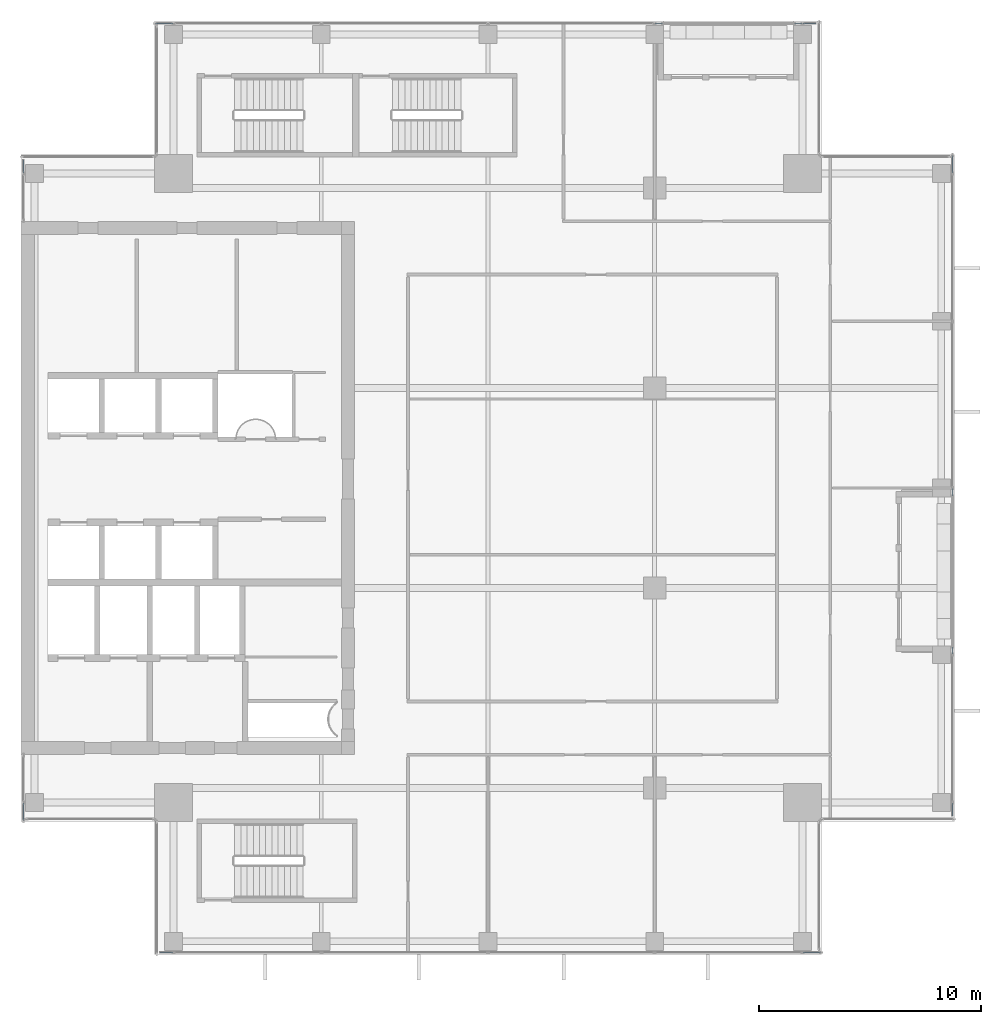
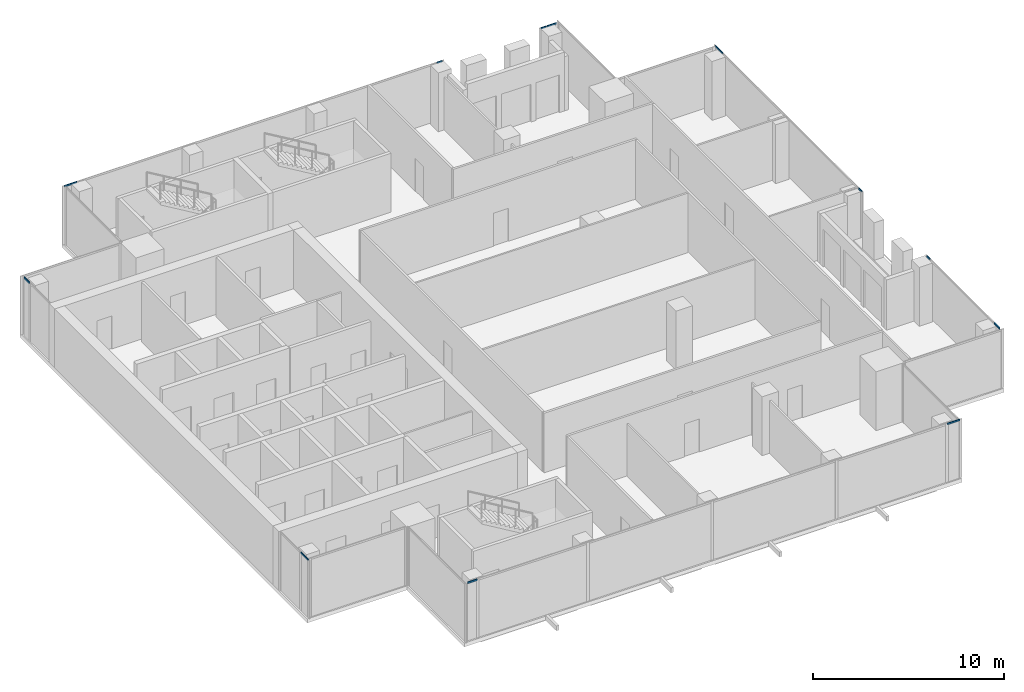
# One storey, part 18 of 29: 12 members, 7 elements without a shape of their own.
"""IFC4 building model written with IfcOpenShell, lengths in metres."""

import ifcopenshell
import ifcopenshell.guid

model = None  # the IFC model being written
_history = None  # IfcOwnerHistory: only IFC2X3 demands one
_inside = {}  # id of a spatial element -> (the spatial element, [elements in it])
_under = {}  # id of a project, library or spatial element -> (it, [spatial elements below it])
_declared = {}  # id of a project -> (the project, [libraries it declares])
_typed = {}  # id of a type object -> (the type object, [elements of that type])
_made_of = {}  # id of a material, layer set ... -> (it, [elements and type objects made of it])


def new_model(schema):
    """Start an empty IFC model of exactly this schema.

    Asked for "IFC4X3", IfcOpenShell would pick the latest addendum, in which some entities
    have other attributes; the version numbers below select the first issue.
    IFC2X3 requires an IfcOwnerHistory on every rooted entity: one is made here for all.
    """
    global model, _history
    if schema == "IFC4X3":
        model = ifcopenshell.file(schema_version=(4, 3, 0, 0))
    else:
        model = ifcopenshell.file(schema=schema)
    _inside.clear()
    _under.clear()
    _declared.clear()
    _typed.clear()
    _made_of.clear()
    _history = None
    if model.schema == "IFC2X3":
        org = make("IfcOrganization", Name="unknown")
        user = make(
            "IfcPersonAndOrganization",
            ThePerson=make("IfcPerson", FamilyName="unknown"),
            TheOrganization=org,
        )
        app = make(
            "IfcApplication",
            ApplicationDeveloper=org,
            Version="unknown",
            ApplicationFullName="unknown",
            ApplicationIdentifier="unknown",
        )
        _history = make(
            "IfcOwnerHistory",
            OwningUser=user,
            OwningApplication=app,
            ChangeAction="ADDED",
            CreationDate=0,
        )
    return model


def make(cls, **values):
    """One entity of the class cls with the attributes given. An attribute that is None is left unset."""
    return model.create_entity(
        cls, **{name: value for name, value in values.items() if value is not None}
    )


def rooted(cls, **values):
    """An entity with a GlobalId (a new one), such as an element, a storey or a relation."""
    return make(cls, GlobalId=ifcopenshell.guid.new(), OwnerHistory=_history, **values)


def si_unit(unit_type, name, prefix=None):
    """IfcSIUnit, for example si_unit("LENGTHUNIT", "METRE", prefix="MILLI")."""
    return make("IfcSIUnit", UnitType=unit_type, Prefix=prefix, Name=name)


def assignment(units):
    """IfcUnitAssignment: the units of a project."""
    return None if units is None else make("IfcUnitAssignment", Units=units)


def point(xyz):
    """IfcCartesianPoint."""
    return None if xyz is None else make("IfcCartesianPoint", Coordinates=xyz)


def direction(xyz):
    """IfcDirection."""
    return None if xyz is None else make("IfcDirection", DirectionRatios=xyz)


def frame(location, z_axis=None, x_axis=None):
    """IfcAxis2Placement3D, a coordinate frame: its origin and axes. An axis left out is left unset."""
    return make(
        "IfcAxis2Placement3D",
        Location=point(location),
        Axis=direction(z_axis),
        RefDirection=direction(x_axis),
    )


def frame_2d(location, x_axis=None):
    """IfcAxis2Placement2D, a coordinate frame in the plane: its origin and x axis."""
    return make(
        "IfcAxis2Placement2D", Location=point(location), RefDirection=direction(x_axis)
    )


def origin():
    """The frame at (0, 0, 0) with its axes left unset."""
    return frame((0.0, 0.0, 0.0))


def origin_2d():
    """The frame at (0, 0) in the plane with its x axis left unset."""
    return frame_2d((0.0, 0.0))


def place(relative_to, where):
    """IfcLocalPlacement: puts the frame where relative to a parent placement (None: the world)."""
    return make(
        "IfcLocalPlacement", PlacementRelTo=relative_to, RelativePlacement=where
    )


def context(
    kind, dimensions, precision=None, world=None, true_north=None, identifier=None
):
    """IfcGeometricRepresentationContext, for example the 3D "Model" context."""
    return make(
        "IfcGeometricRepresentationContext",
        ContextIdentifier=identifier,
        ContextType=kind,
        CoordinateSpaceDimension=dimensions,
        Precision=precision,
        WorldCoordinateSystem=world,
        TrueNorth=true_north,
    )


def subcontext(parent, identifier, kind, view, scale=None):
    """IfcGeometricRepresentationSubContext, for example "Body" below "Model"."""
    return make(
        "IfcGeometricRepresentationSubContext",
        ContextIdentifier=identifier,
        ContextType=kind,
        ParentContext=parent,
        TargetScale=scale,
        TargetView=view,
    )


def project(units=None, contexts=None):
    """IfcProject with its units and contexts."""
    return rooted(
        "IfcProject",
        Name="project",
        RepresentationContexts=contexts,
        UnitsInContext=assignment(units),
    )


def spatial(cls, under=None, at=None, **own):
    """A site, building, storey or space (cls), placed at a placement, below another one or the project."""
    s = rooted(cls, ObjectPlacement=at, **own)
    if under is not None:
        _under.setdefault(under.id(), (under, []))[1].append(s)
    return s


def profile(cls, at=None, kind="AREA", **sizes):
    """A parametric profile (cls). Its sizes go by their IFC names, for example OverallWidth=200.0."""
    return make(cls, ProfileType=kind, Position=at, **sizes)


def hollow_rectangle(**sizes):
    """IfcRectangleHollowProfileDef."""
    return profile("IfcRectangleHollowProfileDef", **sizes)


def extrude(swept, where, along, depth):
    """IfcExtrudedAreaSolid: the profile swept, set in the frame where, extruded along a direction by depth."""
    return make(
        "IfcExtrudedAreaSolid",
        SweptArea=swept,
        Position=where,
        ExtrudedDirection=direction(along),
        Depth=depth,
    )


def shape(context_of_items, identifier, shape_type, items):
    """IfcShapeRepresentation: the items that make up one representation, for example the "Body"."""
    return make(
        "IfcShapeRepresentation",
        ContextOfItems=context_of_items,
        RepresentationIdentifier=identifier,
        RepresentationType=shape_type,
        Items=items,
    )


def source(mapping_origin, context_of_items, identifier, shape_type, items):
    """IfcRepresentationMap: a shape defined once, which mapped items show again and again."""
    return make(
        "IfcRepresentationMap",
        MappingOrigin=mapping_origin,
        MappedRepresentation=shape(context_of_items, identifier, shape_type, items),
    )


def transform(
    local_origin,
    x_axis=None,
    y_axis=None,
    z_axis=None,
    scale=None,
    scale2=None,
    scale3=None,
    uniform=True,
):
    """IfcCartesianTransformationOperator3D, or its non-uniform kind. x_axis, y_axis, z_axis: its Axis1, 2, 3."""
    if uniform:
        return make(
            "IfcCartesianTransformationOperator3D",
            Axis1=direction(x_axis),
            Axis2=direction(y_axis),
            LocalOrigin=point(local_origin),
            Scale=scale,
            Axis3=direction(z_axis),
        )
    return make(
        "IfcCartesianTransformationOperator3DnonUniform",
        Axis1=direction(x_axis),
        Axis2=direction(y_axis),
        LocalOrigin=point(local_origin),
        Scale=scale,
        Axis3=direction(z_axis),
        Scale2=scale2,
        Scale3=scale3,
    )


def mapped(mapping_source, mapping_target):
    """IfcMappedItem: shows the shape of a source again, moved by a transform."""
    return make(
        "IfcMappedItem", MappingSource=mapping_source, MappingTarget=mapping_target
    )


def material(Name=None, Category=None):
    """IfcMaterial."""
    return make("IfcMaterial", Name=Name, Category=Category)


def material_profile(
    of_material, cross_section, Name=None, Category=None, Priority=None
):
    """IfcMaterialProfile: a cross section and its material."""
    return make(
        "IfcMaterialProfile",
        Name=Name,
        Material=of_material,
        Profile=cross_section,
        Priority=Priority,
        Category=Category,
    )


def profile_set(profiles, Name=None, composite=None):
    """IfcMaterialProfileSet."""
    return make(
        "IfcMaterialProfileSet",
        Name=Name,
        MaterialProfiles=profiles,
        CompositeProfile=composite,
    )


def made_of(thing, what):
    """Note that an element or type object is made of a material, layer set ...; save() writes the relation."""
    if what is not None:
        _made_of.setdefault(what.id(), (what, []))[1].append(thing)
    return thing


def type_object(cls, material=None, **own):
    """A type object (cls), such as IfcWallType, which elements share."""
    return made_of(rooted(cls, **own), material)


def element(
    cls,
    number,
    at=None,
    inside=None,
    cuts=None,
    type_object=None,
    material=None,
    context=None,
    identifier="Body",
    shape_type=None,
    held_by="IfcProductDefinitionShape",
    body=None,
    shapes=None,
    **own,
):
    """One element of the class cls, such as IfcWall. Its Tag is "e" and its number.

    at: its placement. inside: the storey or other place that contains it. cuts: it is an
    opening in that element (IfcRelVoidsElement). A single representation is given by context,
    identifier, shape_type and body (its items); several are given by shapes. held_by: the class
    of the entity that holds the representations. save() writes the other relations.
    """
    e = rooted(cls, Tag="e%d" % number, ObjectPlacement=at, **own)
    if body is not None:
        shapes = [shape(context, identifier, shape_type, body)]
    if shapes is not None:
        e.Representation = make(held_by, Representations=shapes)
    if inside is not None:
        _inside.setdefault(inside.id(), (inside, []))[1].append(e)
    if cuts is not None:
        rooted(
            "IfcRelVoidsElement", RelatingBuildingElement=cuts, RelatedOpeningElement=e
        )
    if type_object is not None:
        _typed.setdefault(type_object.id(), (type_object, []))[1].append(e)
    return made_of(e, material)


def aggregate(whole, parts):
    """IfcRelAggregates: a whole, such as a stair, and the parts it consists of."""
    return rooted("IfcRelAggregates", RelatingObject=whole, RelatedObjects=parts)


def save(model, path):
    """Write the relations noted so far, then the file.

    IfcRelAggregates (storeys below a building ...), IfcRelContainedInSpatialStructure (elements
    in a storey), IfcRelDefinesByType, IfcRelAssociatesMaterial and IfcRelDeclares: one each for
    every whole, place, type object, material and project.
    """
    for whole, parts in _under.values():
        aggregate(whole, parts)
    for where, things in _inside.values():
        rooted(
            "IfcRelContainedInSpatialStructure",
            RelatedElements=things,
            RelatingStructure=where,
        )
    for kind, things in _typed.values():
        rooted("IfcRelDefinesByType", RelatedObjects=things, RelatingType=kind)
    for what, things in _made_of.values():
        rooted("IfcRelAssociatesMaterial", RelatedObjects=things, RelatingMaterial=what)
    for by, libraries in _declared.values():
        rooted("IfcRelDeclares", RelatingContext=by, RelatedDefinitions=libraries)
    model.write(path)


model = new_model("IFC4")

# Units and contexts
model_context = context("Model", 3, precision=1e-05, world=origin(), true_north=direction((0.0, 1.0)))
body_context = subcontext(model_context, "Body", "Model", "MODEL_VIEW")
ifc_project = project(units=[si_unit("LENGTHUNIT", "METRE"), si_unit("AREAUNIT", "SQUARE_METRE"), si_unit("VOLUMEUNIT", "CUBIC_METRE"), si_unit("PLANEANGLEUNIT", "RADIAN"), si_unit("MASSUNIT", "GRAM", prefix="KILO")], contexts=[model_context])

# Site, building, storey
site_placement = place(None, origin())
site = spatial("IfcSite", under=ifc_project, at=site_placement, CompositionType="ELEMENT")
building_placement = place(site_placement, origin())
building = spatial("IfcBuilding", under=site, at=building_placement, Name="Khomas Fold Tower", CompositionType="ELEMENT")
storey_placement = place(building_placement, frame((0.0, 0.0, 286.199951171875)))
storey = spatial("IfcBuildingStorey", under=building, at=storey_placement, Name="L64", CompositionType="ELEMENT", Elevation=286.199951171875)

# Curtain wall, member
ifc_material_1 = material(Name="Aluminium framed double glazing", Category="aluminium")
curtain_wall_type = type_object("IfcCurtainWallType", Name="SK-Unitised clear-glass wall, upper floors CW3", PredefinedType="NOTDEFINED", material=ifc_material_1)
curtain_wall_1_placement = place(storey_placement, origin())
curtain_wall_1 = element("IfcCurtainWall", 1, at=curtain_wall_1_placement, inside=storey, type_object=curtain_wall_type, Name="CW3 run L64 00-0", PredefinedType="NOTDEFINED")
ifc_material_2 = material(Name="Aluminium", Category="aluminium")
ifc_material_profile = material_profile(ifc_material_2, hollow_rectangle(XDim=0.050048828125, YDim=0.10009765625, WallThickness=0.00390625, at=origin_2d()), Name="SK-Unitised clear-glass wall, upper floors transom CW3-T")
ifc_profile_set = profile_set([ifc_material_profile], Name="Aluminium")
member_type = type_object("IfcMemberType", Name="SK-Unitised clear-glass wall, upper floors transom CW3-T", PredefinedType="USERDEFINED", material=ifc_profile_set)
shared_shape_1 = source(origin(), body_context, "Body", "SweptSolid", [
    extrude(hollow_rectangle(XDim=0.050048828125, YDim=0.10009765625, WallThickness=0.00390625, at=origin_2d()), origin(), (0.0, 0.0, 1.0), 0.574951171875),
])
member_1_placement = place(storey_placement, frame((12.25, 6.10009765625, 3.699951171875), z_axis=(1.0, 0.0, 0.0), x_axis=(0.0, 1.0, 0.0)))
member_1 = element("IfcMember", 2, at=member_1_placement, type_object=member_type, Name="CW3 transom 1", ObjectType="TRANSOM", PredefinedType="USERDEFINED", context=body_context, shape_type="MappedRepresentation", body=[
    mapped(shared_shape_1, transform((0.0, 0.0, 0.0))),
])

curtain_wall_2_placement = place(storey_placement, origin())
curtain_wall_2 = element("IfcCurtainWall", 3, at=curtain_wall_2_placement, inside=storey, type_object=curtain_wall_type, Name="CW3 run L64 03-0", PredefinedType="NOTDEFINED")
member_2_placement = place(storey_placement, frame((47.89990234375, 12.25, 3.699951171875), z_axis=(0.0, 1.0, 0.0), x_axis=(-1.0, 0.0, 0.0)))
member_2 = element("IfcMember", 4, at=member_2_placement, type_object=member_type, Name="CW3 transom 1", ObjectType="TRANSOM", PredefinedType="USERDEFINED", context=body_context, shape_type="MappedRepresentation", body=[
    mapped(shared_shape_1, transform((0.0, 0.0, 0.0))),
])

curtain_wall_3_placement = place(storey_placement, origin())
curtain_wall_3 = element("IfcCurtainWall", 5, at=curtain_wall_3_placement, inside=storey, type_object=curtain_wall_type, Name="CW3 run L64 06-0", PredefinedType="NOTDEFINED")
member_3_placement = place(storey_placement, frame((41.75, 47.89990234375, 3.699951171875), z_axis=(-1.0, 0.0, 0.0), x_axis=(0.0, -1.0, 0.0)))
member_3 = element("IfcMember", 6, at=member_3_placement, type_object=member_type, Name="CW3 transom 1", ObjectType="TRANSOM", PredefinedType="USERDEFINED", context=body_context, shape_type="MappedRepresentation", body=[
    mapped(shared_shape_1, transform((0.0, 0.0, 0.0))),
])

curtain_wall_4_placement = place(storey_placement, origin())
curtain_wall_4 = element("IfcCurtainWall", 7, at=curtain_wall_4_placement, inside=storey, type_object=curtain_wall_type, Name="CW3 run L64 09-0", PredefinedType="NOTDEFINED")
member_4_placement = place(storey_placement, frame((6.10009765625, 41.75, 3.699951171875), z_axis=(0.0, -1.0, 0.0), x_axis=(1.0, 0.0, 0.0)))
member_4 = element("IfcMember", 8, at=member_4_placement, type_object=member_type, Name="CW3 transom 1", ObjectType="TRANSOM", PredefinedType="USERDEFINED", context=body_context, shape_type="MappedRepresentation", body=[
    mapped(shared_shape_1, transform((0.0, 0.0, 0.0))),
])
aggregate(curtain_wall_4, [member_4])

# Member
shared_shape_2 = source(origin(), body_context, "Body", "SweptSolid", [
    extrude(hollow_rectangle(XDim=0.050048828125, YDim=0.10009765625, WallThickness=0.00390625, at=origin_2d()), origin(), (0.0, 0.0, 1.0), 0.77490234375),
])
member_5_placement = place(storey_placement, frame((41.175048828125, 6.10009765625, 3.699951171875), z_axis=(1.0, 0.0, 0.0), x_axis=(0.0, 1.0, 0.0)))
member_5 = element("IfcMember", 9, at=member_5_placement, type_object=member_type, Name="CW3 transom 6", ObjectType="TRANSOM", PredefinedType="USERDEFINED", context=body_context, shape_type="MappedRepresentation", body=[
    mapped(shared_shape_2, transform((0.0, 0.0, 0.0))),
])

aggregate(curtain_wall_1, [member_1, member_5])

# Curtain wall, member
curtain_wall_5_placement = place(storey_placement, origin())
curtain_wall_5 = element("IfcCurtainWall", 10, at=curtain_wall_5_placement, inside=storey, type_object=curtain_wall_type, Name="CW3 run L64 03-1", PredefinedType="NOTDEFINED")
member_6_placement = place(storey_placement, frame((47.89990234375, 41.175048828125, 3.699951171875), z_axis=(0.0, 1.0, 0.0), x_axis=(-1.0, 0.0, 0.0)))
member_6 = element("IfcMember", 11, at=member_6_placement, type_object=member_type, Name="CW3 transom 4", ObjectType="TRANSOM", PredefinedType="USERDEFINED", context=body_context, shape_type="MappedRepresentation", body=[
    mapped(shared_shape_2, transform((0.0, 0.0, 0.0))),
])

curtain_wall_6_placement = place(storey_placement, origin())
curtain_wall_6 = element("IfcCurtainWall", 12, at=curtain_wall_6_placement, inside=storey, type_object=curtain_wall_type, Name="CW3 run L64 06-1", PredefinedType="NOTDEFINED")
member_7_placement = place(storey_placement, frame((12.824951171875, 47.89990234375, 3.699951171875), z_axis=(-1.0, 0.0, 0.0), x_axis=(0.0, -1.0, 0.0)))
member_7 = element("IfcMember", 13, at=member_7_placement, type_object=member_type, Name="CW3 transom 5", ObjectType="TRANSOM", PredefinedType="USERDEFINED", context=body_context, shape_type="MappedRepresentation", body=[
    mapped(shared_shape_2, transform((0.0, 0.0, 0.0))),
])

curtain_wall_7_placement = place(storey_placement, origin())
curtain_wall_7 = element("IfcCurtainWall", 14, at=curtain_wall_7_placement, inside=storey, type_object=curtain_wall_type, Name="CW3 run L64 09-1", PredefinedType="NOTDEFINED")
member_8_placement = place(storey_placement, frame((6.10009765625, 12.824951171875, 3.699951171875), z_axis=(0.0, -1.0, 0.0), x_axis=(1.0, 0.0, 0.0)))
member_8 = element("IfcMember", 15, at=member_8_placement, type_object=member_type, Name="CW3 transom 2", ObjectType="TRANSOM", PredefinedType="USERDEFINED", context=body_context, shape_type="MappedRepresentation", body=[
    mapped(shared_shape_2, transform((0.0, 0.0, 0.0))),
])
aggregate(curtain_wall_7, [member_8])

# Member
shared_shape_3 = source(origin(), body_context, "Body", "SweptSolid", [
    extrude(hollow_rectangle(XDim=0.050048828125, YDim=0.10009765625, WallThickness=0.00390625, at=origin_2d()), origin(), (0.0, 0.0, 1.0), 0.3251953125),
])
member_9_placement = place(storey_placement, frame((47.89990234375, 19.52490234375, 3.699951171875), z_axis=(0.0, 1.0, 0.0), x_axis=(-1.0, 0.0, 0.0)))
member_9 = element("IfcMember", 16, at=member_9_placement, type_object=member_type, Name="CW3 transom 3", ObjectType="TRANSOM", PredefinedType="USERDEFINED", context=body_context, shape_type="MappedRepresentation", body=[
    mapped(shared_shape_3, transform((0.0, 0.0, 0.0))),
])

aggregate(curtain_wall_2, [member_2, member_9])

member_10_placement = place(storey_placement, frame((47.89990234375, 26.64990234375, 3.699951171875), z_axis=(0.0, 1.0, 0.0), x_axis=(-1.0, 0.0, 0.0)))
member_10 = element("IfcMember", 17, at=member_10_placement, type_object=member_type, Name="CW3 transom 1", ObjectType="TRANSOM", PredefinedType="USERDEFINED", context=body_context, shape_type="MappedRepresentation", body=[
    mapped(shared_shape_3, transform((0.0, 0.0, 0.0))),
])

aggregate(curtain_wall_5, [member_10, member_6])

member_11_placement = place(storey_placement, frame((34.85009765625, 47.89990234375, 3.699951171875), z_axis=(-1.0, 0.0, 0.0), x_axis=(0.0, -1.0, 0.0)))
member_11 = element("IfcMember", 18, at=member_11_placement, type_object=member_type, Name="CW3 transom 1", ObjectType="TRANSOM", PredefinedType="USERDEFINED", context=body_context, shape_type="MappedRepresentation", body=[
    mapped(shared_shape_3, transform((0.0, 0.0, 0.0))),
])

aggregate(curtain_wall_6, [member_11, member_7])

shared_shape_4 = source(origin(), body_context, "Body", "SweptSolid", [
    extrude(hollow_rectangle(XDim=0.050048828125, YDim=0.10009765625, WallThickness=0.00390625, at=origin_2d()), origin(), (0.0, 0.0, 1.0), 0.324951171875),
])
member_12_placement = place(storey_placement, frame((41.125, 47.89990234375, 3.699951171875), z_axis=(-1.0, 0.0, 0.0), x_axis=(0.0, -1.0, 0.0)))
member_12 = element("IfcMember", 19, at=member_12_placement, type_object=member_type, Name="CW3 transom 2", ObjectType="TRANSOM", PredefinedType="USERDEFINED", context=body_context, shape_type="MappedRepresentation", body=[
    mapped(shared_shape_4, transform((0.0, 0.0, 0.0))),
])

aggregate(curtain_wall_3, [member_3, member_12])

save(model, "model.ifc")
